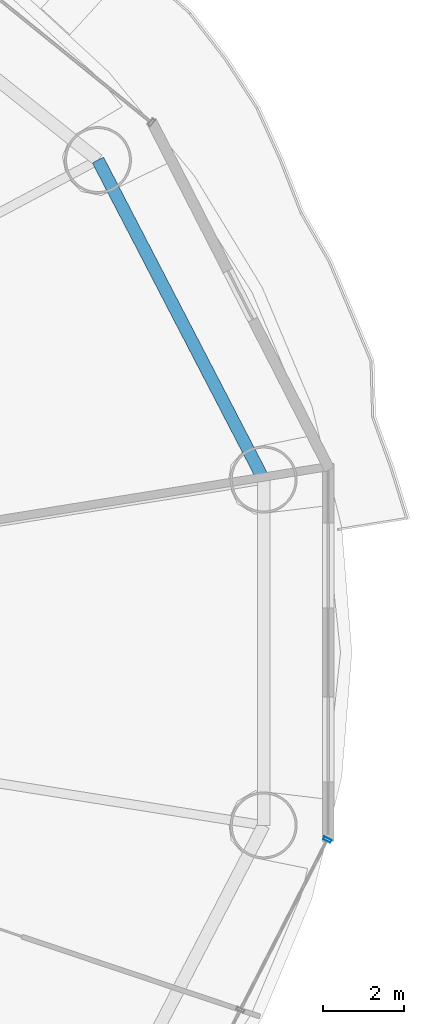
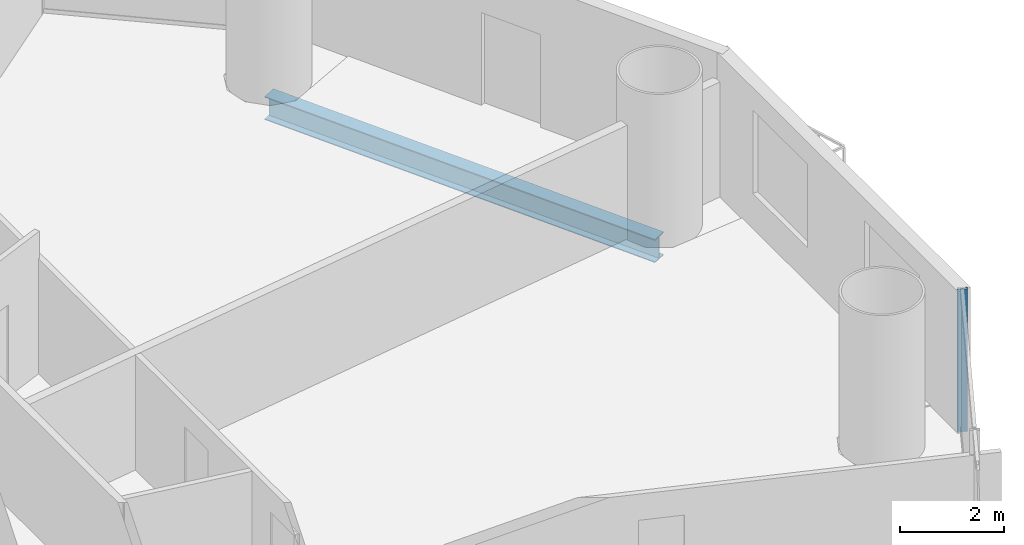
# One storey, part 12 of 28: 1 beam, 1 member, 1 element without a shape of its own.
"""IFC4 building model written with IfcOpenShell, lengths in metres."""

from ifc_helpers import new_model, si_unit, direction, frame, origin, origin_2d, place, context, subcontext, project, spatial, hollow_rectangle, i_section, extrude, source, transform, mapped, material, material_profile, profile_set, type_object, element, aggregate, save


model = new_model("IFC4")

# Units and contexts
model_context = context("Model", 3, precision=1e-05, world=origin(), true_north=direction((-0.2419218956, 0.970295726276)))
body_context = subcontext(model_context, "Body", "Model", "MODEL_VIEW")
ifc_project = project(units=[si_unit("LENGTHUNIT", "METRE"), si_unit("AREAUNIT", "SQUARE_METRE"), si_unit("VOLUMEUNIT", "CUBIC_METRE"), si_unit("PLANEANGLEUNIT", "RADIAN"), si_unit("MASSUNIT", "GRAM", prefix="KILO")], contexts=[model_context])

# Site, building, storey
site_placement = place(None, origin())
site = spatial("IfcSite", under=ifc_project, at=site_placement, CompositionType="ELEMENT")
building_placement = place(site_placement, origin())
building = spatial("IfcBuilding", under=site, at=building_placement, Name="Cobrevalo Terracotta Tower", CompositionType="ELEMENT")
storey_placement = place(building_placement, frame((0.0, 0.0, 34.800048828125)))
storey = spatial("IfcBuildingStorey", under=building, at=storey_placement, Name="L08", CompositionType="ELEMENT", Elevation=34.800048828125)

# Beam
ifc_material_1 = material(Name="Steel S355", Category="steel")
ifc_material_profile_1 = material_profile(ifc_material_1, i_section(OverallWidth=0.31201171875, OverallDepth=0.54296875, WebThickness=0.0126953125, FlangeThickness=0.020263671875, at=origin_2d()), Name="W 530x150")
ifc_profile_set_1 = profile_set([ifc_material_profile_1], Name="Steel S355")
beam_type = type_object("IfcBeamType", Name="Structural Spandrel W 530x150 (Steel S355)", PredefinedType="SPANDREL", material=ifc_profile_set_1)
beam_placement = place(storey_placement, frame((64.824462890625, 31.062744140625, -0.551513671875), z_axis=(-0.460285838799, 0.88777077368, 0.0), x_axis=(-0.88777077368, -0.460285838799, 0.0)))
element("IfcBeam", 1, at=beam_placement, inside=storey, type_object=beam_type, Name="L08 perimeter ring spandrel 01", PredefinedType="SPANDREL", context=body_context, shape_type="SweptSolid", body=[
    extrude(i_section(OverallWidth=0.31201171875, OverallDepth=0.54296875, WebThickness=0.0126953125, FlangeThickness=0.020263671875, at=origin_2d()), origin(), (0.0, 0.0, 1.0), 8.8720703125),
])

# Curtain wall, member
ifc_material_2 = material(Name="Anodized aluminium", Category="aluminium")
curtain_wall_type = type_object("IfcCurtainWallType", Name="Lower-tower unitised acoustic low-E curtain wall CW-U1", PredefinedType="NOTDEFINED", material=ifc_material_2)
curtain_wall_placement = place(storey_placement, origin())
curtain_wall = element("IfcCurtainWall", 2, at=curtain_wall_placement, inside=storey, type_object=curtain_wall_type, Name="L08 curtain wall CW-L08-S15", PredefinedType="NOTDEFINED")
ifc_material_profile_2 = material_profile(ifc_material_2, hollow_rectangle(XDim=0.074951171875, YDim=0.199951171875, WallThickness=0.0048828125, at=origin_2d()), Name="CWM 75x200")
ifc_profile_set_2 = profile_set([ifc_material_profile_2], Name="Anodized aluminium")
member_type = type_object("IfcMemberType", Name="Lower/mid tower unitised mullion 75x200", PredefinedType="MULLION", material=ifc_profile_set_2)
shared_shape = source(origin(), body_context, "Body", "SweptSolid", [
    extrude(hollow_rectangle(XDim=0.074951171875, YDim=0.199951171875, WallThickness=0.0048828125, at=origin_2d()), origin(), (0.0, 0.0, 1.0), 3.320068359375),
])
member_placement = place(storey_placement, frame((66.39501953125, 22.185546875, 0.0), z_axis=(0.0, 0.0, 1.0), x_axis=(0.455234136597, 0.890371765543, 0.0)))
member = element("IfcMember", 3, at=member_placement, type_object=member_type, Name="CW-L08-S15 vertical mullion 03", PredefinedType="MULLION", context=body_context, shape_type="MappedRepresentation", body=[
    mapped(shared_shape, transform((0.0, 0.0, 0.0), scale=1.0)),
])
aggregate(curtain_wall, [member])

save(model, "model.ifc")
